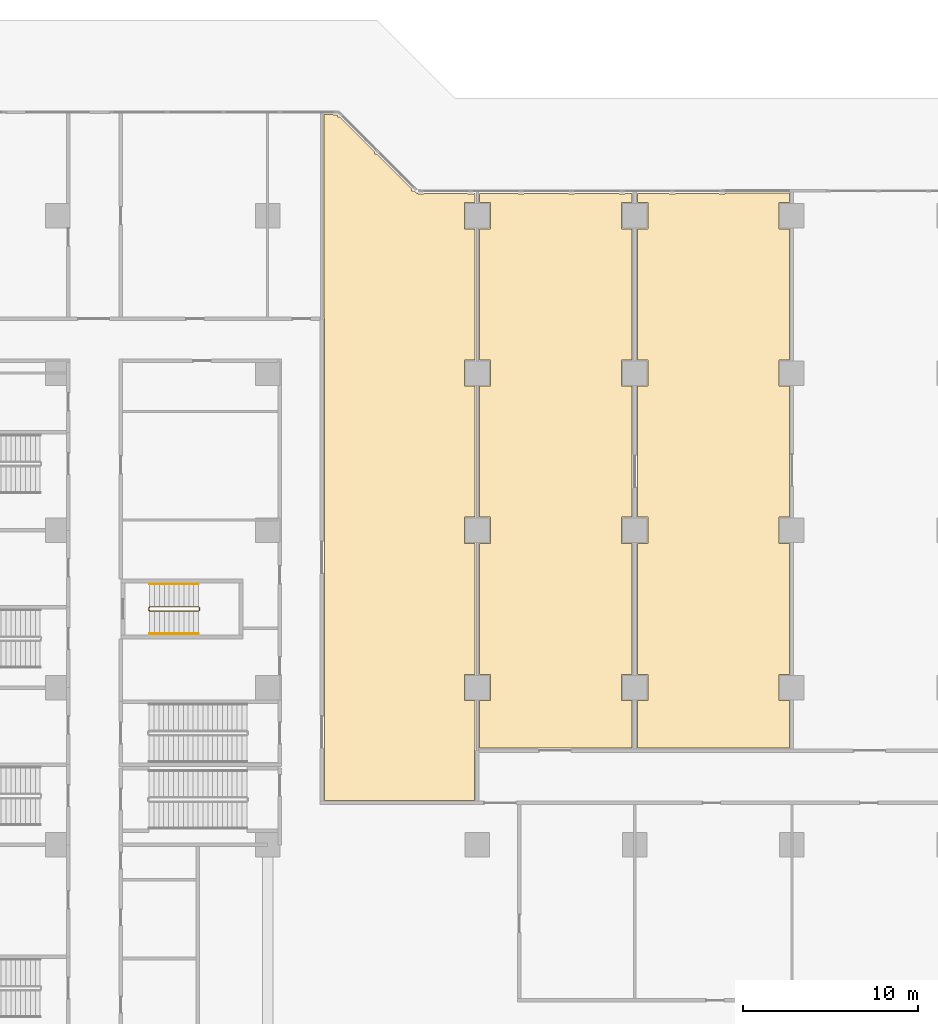
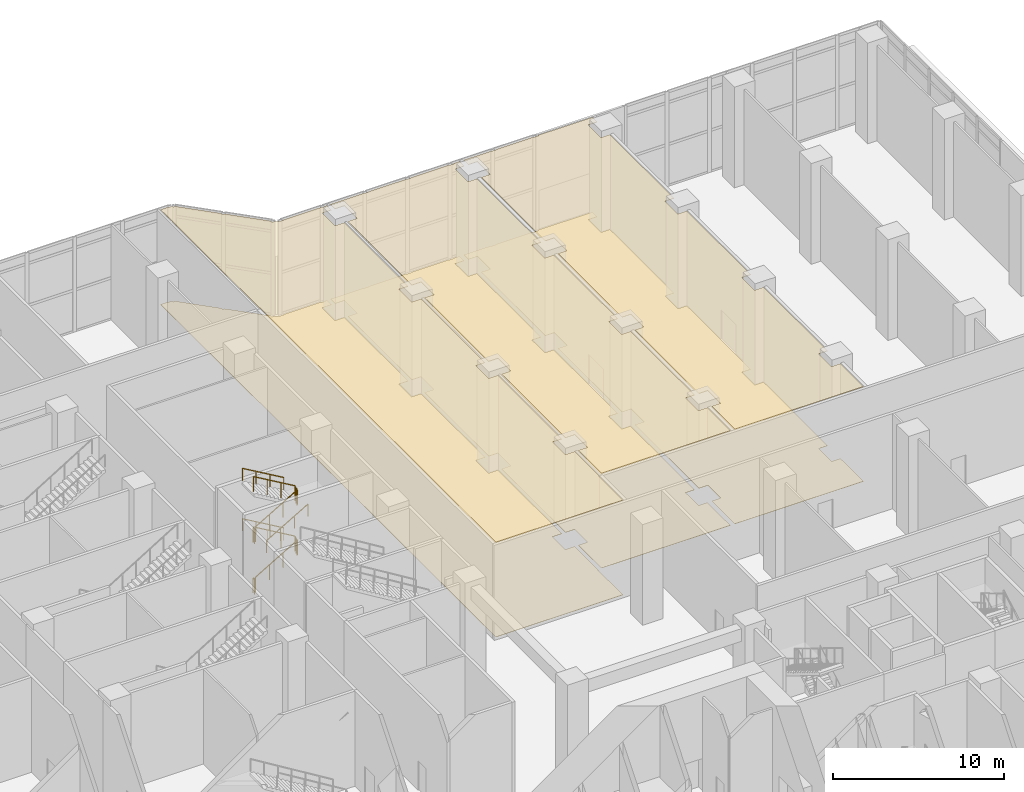
# One storey, part 33 of 34: 6 coverings, 4 railings.
"""IFC4 building model written with IfcOpenShell, lengths in metres."""

from ifc_helpers import new_model, si_unit, direction, frame, origin, origin_2d, place, context, subcontext, project, spatial, polyline, rectangle, outline, extrude, material, layer, layer_set, type_object, element, save


model = new_model("IFC4")

# Units and contexts
model_context = context("Model", 3, precision=1e-05, world=origin(), true_north=direction((0.0, 1.0)))
body_context = subcontext(model_context, "Body", "Model", "MODEL_VIEW")
ifc_project = project(units=[si_unit("LENGTHUNIT", "METRE"), si_unit("AREAUNIT", "SQUARE_METRE"), si_unit("VOLUMEUNIT", "CUBIC_METRE"), si_unit("PLANEANGLEUNIT", "RADIAN"), si_unit("MASSUNIT", "GRAM", prefix="KILO")], contexts=[model_context])

# Site, building, storey
site_placement = place(None, origin())
site = spatial("IfcSite", under=ifc_project, at=site_placement, CompositionType="ELEMENT")
building_placement = place(site_placement, origin())
building = spatial("IfcBuilding", under=site, at=building_placement, Name="Chenar Terraces", CompositionType="ELEMENT")
storey_placement = place(building_placement, origin())
storey = spatial("IfcBuildingStorey", under=building, at=storey_placement, Name="L00", CompositionType="ELEMENT", Elevation=0.0)

# Coverings
ifc_material_1 = material(Name="Mineral fibre acoustic ceiling board")
ifc_layer_1 = layer(ifc_material_1, 0.030029296875)
ifc_layer_set_1 = layer_set([ifc_layer_1], Name="Mineral fibre acoustic ceiling board")
covering_type_1 = type_object("IfcCoveringType", Name="Acoustic board ceiling 30", PredefinedType="CEILING", material=ifc_layer_set_1)
placement_1 = place(storey_placement, frame((0.0, 0.0, 6.77001953125)))
element("IfcCovering", 1, at=placement_1, inside=storey, type_object=covering_type_1, Name="Acoustic ceiling", PredefinedType="CEILING", context=body_context, shape_type="SweptSolid", body=[
    extrude(outline(polyline([(32.50927734375, 73.300048828125), (32.60693359375, 73.300048828125), (32.60693359375, 73.25), (32.956787109375, 73.25), (32.956787109375, 73.284912109375), (35.44873046875, 73.284912109375), (35.44873046875, 73.25), (35.798828125, 73.25), (35.798828125, 73.284912109375), (35.875, 73.284912109375), (35.875, 72.75), (35.25, 72.75), (35.25, 71.25), (35.875, 71.25), (35.875, 63.75), (35.25, 63.75), (35.25, 62.25), (35.875, 62.25), (35.875, 54.75), (35.25, 54.75), (35.25, 53.25), (35.875, 53.25), (35.875, 45.75), (35.25, 45.75), (35.25, 44.25), (35.875, 44.25), (35.875, 41.449951171875), (35.85009765625, 41.449951171875), (35.85009765625, 38.550048828125), (27.25, 38.550048828125), (27.25, 66.14990234375), (27.22509765625, 66.14990234375), (27.22509765625, 77.784912109375), (27.726806640625, 77.784912109375), (27.726806640625, 77.75), (27.998291015625, 77.75), (27.998291015625, 77.6376953125), (28.150146484375, 77.6376953125), (30.11376953125, 75.674072265625), (30.11376953125, 75.52197265625), (30.265869140625, 75.52197265625), (32.2294921875, 73.558349609375), (32.2294921875, 73.40625), (32.40283203125, 73.40625), (32.50927734375, 73.300048828125)])), origin(), (0.0, 0.0, 1.0), 0.030029296875),
])
element("IfcCovering", 2, at=placement_1, inside=storey, type_object=covering_type_1, Name="Acoustic ceiling", PredefinedType="CEILING", context=body_context, shape_type="SweptSolid", body=[
    extrude(outline(polyline([(36.125, 44.25), (36.75, 44.25), (36.75, 45.75), (36.125, 45.75), (36.125, 53.25), (36.75, 53.25), (36.75, 54.75), (36.125, 54.75), (36.125, 62.25), (36.75, 62.25), (36.75, 63.75), (36.125, 63.75), (36.125, 71.25), (36.75, 71.25), (36.75, 72.75), (36.125, 72.75), (36.125, 73.284912109375), (38.330810546875, 73.284912109375), (38.330810546875, 73.25), (38.6806640625, 73.25), (38.6806640625, 73.284912109375), (41.212646484375, 73.284912109375), (41.212646484375, 73.25), (41.562744140625, 73.25), (41.562744140625, 73.284912109375), (44.094482421875, 73.284912109375), (44.094482421875, 73.25), (44.444580078125, 73.25), (44.444580078125, 73.284912109375), (44.85009765625, 73.284912109375), (44.85009765625, 72.75), (44.25, 72.75), (44.25, 71.25), (44.85009765625, 71.25), (44.85009765625, 63.75), (44.25, 63.75), (44.25, 62.25), (44.85009765625, 62.25), (44.85009765625, 54.75), (44.25, 54.75), (44.25, 53.25), (44.85009765625, 53.25), (44.85009765625, 45.75), (44.25, 45.75), (44.25, 44.25), (44.85009765625, 44.25), (44.85009765625, 41.550048828125), (36.125, 41.550048828125), (36.125, 44.25)])), origin(), (0.0, 0.0, 1.0), 0.030029296875),
])
element("IfcCovering", 3, at=placement_1, inside=storey, type_object=covering_type_1, Name="Acoustic ceiling", PredefinedType="CEILING", context=body_context, shape_type="SweptSolid", body=[
    extrude(outline(polyline([(53.85009765625, 73.300048828125), (53.85009765625, 72.75), (53.25, 72.75), (53.25, 71.25), (53.85009765625, 71.25), (53.85009765625, 63.75), (53.25, 63.75), (53.25, 62.25), (53.85009765625, 62.25), (53.85009765625, 54.75), (53.25, 54.75), (53.25, 53.25), (53.85009765625, 53.25), (53.85009765625, 45.75), (53.25, 45.75), (53.25, 44.25), (53.85009765625, 44.25), (53.85009765625, 41.550048828125), (45.14990234375, 41.550048828125), (45.14990234375, 44.25), (45.75, 44.25), (45.75, 45.75), (45.14990234375, 45.75), (45.14990234375, 53.25), (45.75, 53.25), (45.75, 54.75), (45.14990234375, 54.75), (45.14990234375, 62.25), (45.75, 62.25), (45.75, 63.75), (45.14990234375, 63.75), (45.14990234375, 71.25), (45.75, 71.25), (45.75, 72.75), (45.14990234375, 72.75), (45.14990234375, 73.284912109375), (46.9765625, 73.284912109375), (46.9765625, 73.25), (47.326416015625, 73.25), (47.326416015625, 73.284912109375), (49.818359375, 73.284912109375), (49.818359375, 73.25), (50.16845703125, 73.25), (50.16845703125, 73.300048828125), (53.85009765625, 73.300048828125)])), origin(), (0.0, 0.0, 1.0), 0.030029296875),
])
ifc_material_2 = material(Name="Honed limestone floor finish", Category="masonry")
ifc_layer_2 = layer(ifc_material_2, 0.02001953125)
ifc_layer_set_2 = layer_set([ifc_layer_2], Name="Honed limestone floor finish")
covering_type_2 = type_object("IfcCoveringType", Name="Limestone floor finish 20", PredefinedType="FLOORING", material=ifc_layer_set_2)
placement_2 = place(storey_placement, origin())
element("IfcCovering", 4, at=placement_2, inside=storey, type_object=covering_type_2, Name="Limestone floor finish", PredefinedType="FLOORING", context=body_context, shape_type="SweptSolid", body=[
    extrude(outline(polyline([(32.50927734375, 73.300048828125), (32.60693359375, 73.300048828125), (32.60693359375, 73.25), (32.956787109375, 73.25), (32.956787109375, 73.284912109375), (35.44873046875, 73.284912109375), (35.44873046875, 73.25), (35.798828125, 73.25), (35.798828125, 73.284912109375), (35.875, 73.284912109375), (35.875, 72.75), (35.25, 72.75), (35.25, 71.25), (35.875, 71.25), (35.875, 63.75), (35.25, 63.75), (35.25, 62.25), (35.875, 62.25), (35.875, 54.75), (35.25, 54.75), (35.25, 53.25), (35.875, 53.25), (35.875, 45.75), (35.25, 45.75), (35.25, 44.25), (35.875, 44.25), (35.875, 41.449951171875), (35.85009765625, 41.449951171875), (35.85009765625, 38.550048828125), (27.25, 38.550048828125), (27.25, 66.14990234375), (27.22509765625, 66.14990234375), (27.22509765625, 77.784912109375), (27.726806640625, 77.784912109375), (27.726806640625, 77.75), (27.998291015625, 77.75), (27.998291015625, 77.6376953125), (28.150146484375, 77.6376953125), (30.11376953125, 75.674072265625), (30.11376953125, 75.52197265625), (30.265869140625, 75.52197265625), (32.2294921875, 73.558349609375), (32.2294921875, 73.40625), (32.40283203125, 73.40625), (32.50927734375, 73.300048828125)])), origin(), (0.0, 0.0, 1.0), 0.02001953125),
])
element("IfcCovering", 5, at=placement_2, inside=storey, type_object=covering_type_2, Name="Limestone floor finish", PredefinedType="FLOORING", context=body_context, shape_type="SweptSolid", body=[
    extrude(outline(polyline([(36.125, 44.25), (36.75, 44.25), (36.75, 45.75), (36.125, 45.75), (36.125, 53.25), (36.75, 53.25), (36.75, 54.75), (36.125, 54.75), (36.125, 62.25), (36.75, 62.25), (36.75, 63.75), (36.125, 63.75), (36.125, 71.25), (36.75, 71.25), (36.75, 72.75), (36.125, 72.75), (36.125, 73.284912109375), (38.330810546875, 73.284912109375), (38.330810546875, 73.25), (38.6806640625, 73.25), (38.6806640625, 73.284912109375), (41.212646484375, 73.284912109375), (41.212646484375, 73.25), (41.562744140625, 73.25), (41.562744140625, 73.284912109375), (44.094482421875, 73.284912109375), (44.094482421875, 73.25), (44.444580078125, 73.25), (44.444580078125, 73.284912109375), (44.85009765625, 73.284912109375), (44.85009765625, 72.75), (44.25, 72.75), (44.25, 71.25), (44.85009765625, 71.25), (44.85009765625, 63.75), (44.25, 63.75), (44.25, 62.25), (44.85009765625, 62.25), (44.85009765625, 54.75), (44.25, 54.75), (44.25, 53.25), (44.85009765625, 53.25), (44.85009765625, 45.75), (44.25, 45.75), (44.25, 44.25), (44.85009765625, 44.25), (44.85009765625, 41.550048828125), (36.125, 41.550048828125), (36.125, 44.25)])), origin(), (0.0, 0.0, 1.0), 0.02001953125),
])
element("IfcCovering", 6, at=placement_2, inside=storey, type_object=covering_type_2, Name="Limestone floor finish", PredefinedType="FLOORING", context=body_context, shape_type="SweptSolid", body=[
    extrude(outline(polyline([(53.85009765625, 73.300048828125), (53.85009765625, 72.75), (53.25, 72.75), (53.25, 71.25), (53.85009765625, 71.25), (53.85009765625, 63.75), (53.25, 63.75), (53.25, 62.25), (53.85009765625, 62.25), (53.85009765625, 54.75), (53.25, 54.75), (53.25, 53.25), (53.85009765625, 53.25), (53.85009765625, 45.75), (53.25, 45.75), (53.25, 44.25), (53.85009765625, 44.25), (53.85009765625, 41.550048828125), (45.14990234375, 41.550048828125), (45.14990234375, 44.25), (45.75, 44.25), (45.75, 45.75), (45.14990234375, 45.75), (45.14990234375, 53.25), (45.75, 53.25), (45.75, 54.75), (45.14990234375, 54.75), (45.14990234375, 62.25), (45.75, 62.25), (45.75, 63.75), (45.14990234375, 63.75), (45.14990234375, 71.25), (45.75, 71.25), (45.75, 72.75), (45.14990234375, 72.75), (45.14990234375, 73.284912109375), (46.9765625, 73.284912109375), (46.9765625, 73.25), (47.326416015625, 73.25), (47.326416015625, 73.284912109375), (49.818359375, 73.284912109375), (49.818359375, 73.25), (50.16845703125, 73.25), (50.16845703125, 73.300048828125), (53.85009765625, 73.300048828125)])), origin(), (0.0, 0.0, 1.0), 0.02001953125),
])

# Railings
ifc_material_3 = material(Name="Powder-coated steel", Category="steel")
railing_type_1 = type_object("IfcRailingType", Name="Stair guard 1100", PredefinedType="GUARDRAIL", material=ifc_material_3)
railing_1_placement = place(storey_placement, frame((17.25, 49.625, 7.199951171875)))
element("IfcRailing", 7, at=railing_1_placement, inside=storey, type_object=railing_type_1, Name="L00 ST4 stair guard 1", PredefinedType="GUARDRAIL", context=body_context, shape_type="SweptSolid", body=[
    extrude(rectangle(XDim=0.048095703125, YDim=0.048095703125, at=origin_2d()), frame((0.0, 0.0, 1.076171875), z_axis=(0.863393664356, 0.0, -0.504530851732), x_axis=(0.0, 1.0, 0.0)), (0.0, 0.0, 1.0), 3.2431640625),
    extrude(rectangle(XDim=0.048095703125, YDim=0.048095703125, at=origin_2d()), frame((2.800048828125, 0.0, -0.56005859375), z_axis=(0.280456126637, -0.280456126637, -0.917980785237), x_axis=(0.707106781187, 0.707106781187, 0.0)), (0.0, 0.0, 1.0), 0.178466796875),
    extrude(rectangle(XDim=0.048095703125, YDim=0.048095703125, at=origin_2d()), frame((2.85009765625, -0.050048828125, -0.72412109375), z_axis=(0.0, -1.0, 0.0), x_axis=(1.0, 0.0, 0.0)), (0.0, 0.0, 1.0), 0.14990234375),
    extrude(rectangle(XDim=0.048095703125, YDim=0.048095703125, at=origin_2d()), frame((2.85009765625, -0.199951171875, -0.72412109375), z_axis=(-0.707106781187, -0.707106781187, 0.0), x_axis=(0.707106781187, -0.707106781187, 0.0)), (0.0, 0.0, 1.0), 0.07080078125),
    extrude(rectangle(XDim=0.048095703125, YDim=0.048095703125, at=origin_2d()), frame((2.800048828125, -0.25, -0.72412109375), z_axis=(-0.863393664356, 0.0, -0.504530851732), x_axis=(0.0, -1.0, 0.0)), (0.0, 0.0, 1.0), 3.2431640625),
    extrude(rectangle(XDim=0.048095703125, YDim=0.048095703125, at=origin_2d()), frame((0.0, -0.25, -2.3603515625), z_axis=(-0.190199549216, 0.759870394187, -0.621627795), x_axis=(-0.970072785993, -0.242814311512, 0.0)), (0.0, 0.0, 1.0), 0.26318359375),
    extrude(rectangle(XDim=0.048095703125, YDim=0.048095703125, at=origin_2d()), frame((-0.050048828125, -0.050048828125, -2.52392578125), z_axis=(0.0, -1.0, 0.0), x_axis=(1.0, 0.0, 0.0)), (0.0, 0.0, 1.0), 0.14990234375),
    extrude(rectangle(XDim=0.048095703125, YDim=0.048095703125, at=origin_2d()), frame((-0.050048828125, -0.199951171875, -2.52392578125), z_axis=(0.242814311512, 0.970072785993, 0.0), x_axis=(-0.970072785993, 0.242814311512, 0.0)), (0.0, 0.0, 1.0), 0.2060546875),
    extrude(rectangle(XDim=0.048095703125, YDim=0.048095703125, at=origin_2d()), frame((0.0, 0.0, -2.52392578125), z_axis=(0.863360870873, 0.0, -0.504586966384), x_axis=(0.0, 1.0, 0.0)), (0.0, 0.0, 1.0), 3.2431640625),
    extrude(rectangle(XDim=0.048095703125, YDim=0.048095703125, at=origin_2d()), frame((2.800048828125, 0.0, -4.16015625), z_axis=(0.280808744504, -0.280808744504, -0.917765164963), x_axis=(0.707106781187, 0.707106781187, 0.0)), (0.0, 0.0, 1.0), 0.17822265625),
    extrude(rectangle(XDim=0.048095703125, YDim=0.048095703125, at=origin_2d()), frame((2.85009765625, -0.050048828125, -4.32373046875), z_axis=(0.0, -1.0, 0.0), x_axis=(1.0, 0.0, 0.0)), (0.0, 0.0, 1.0), 0.14990234375),
    extrude(rectangle(XDim=0.048095703125, YDim=0.048095703125, at=origin_2d()), frame((2.85009765625, -0.199951171875, -4.32373046875), z_axis=(-0.707106781187, -0.707106781187, 0.0), x_axis=(0.707106781187, -0.707106781187, 0.0)), (0.0, 0.0, 1.0), 0.07080078125),
    extrude(rectangle(XDim=0.048095703125, YDim=0.048095703125, at=origin_2d()), frame((2.800048828125, -0.25, -4.32373046875), z_axis=(-0.863360870873, 0.0, -0.504586966384), x_axis=(0.0, -1.0, 0.0)), (0.0, 0.0, 1.0), 3.2431640625),
    extrude(rectangle(XDim=0.048095703125, YDim=0.048095703125, at=origin_2d()), frame((0.0, -0.25, -5.96044921875), z_axis=(-0.280808744504, 0.280808744504, -0.917765164963), x_axis=(-0.707106781187, -0.707106781187, 0.0)), (0.0, 0.0, 1.0), 0.17822265625),
    extrude(rectangle(XDim=0.048095703125, YDim=0.048095703125, at=origin_2d()), frame((-0.050048828125, -0.199951171875, -6.1240234375), z_axis=(0.0, 1.0, 0.0), x_axis=(-1.0, 0.0, 0.0)), (0.0, 0.0, 1.0), 0.14990234375),
    extrude(rectangle(XDim=0.0419921875, YDim=0.0419921875, at=origin_2d()), origin(), (0.0, 0.0, 1.0), 1.052001953125),
    extrude(rectangle(XDim=0.0419921875, YDim=0.0419921875, at=origin_2d()), frame((0.933349609375, 0.0, -0.54541015625)), (0.0, 0.0, 1.0), 1.052001953125),
    extrude(rectangle(XDim=0.0419921875, YDim=0.0419921875, at=origin_2d()), frame((1.86669921875, 0.0, -1.0908203125)), (0.0, 0.0, 1.0), 1.052001953125),
    extrude(rectangle(XDim=0.0419921875, YDim=0.0419921875, at=origin_2d()), frame((2.800048828125, 0.0, -1.63623046875)), (0.0, 0.0, 1.0), 1.052001953125),
    extrude(rectangle(XDim=0.0419921875, YDim=0.0419921875, at=origin_2d()), frame((2.85009765625, -0.050048828125, -1.800048828125)), (0.0, 0.0, 1.0), 1.052001953125),
    extrude(rectangle(XDim=0.0419921875, YDim=0.0419921875, at=origin_2d()), frame((2.85009765625, -0.199951171875, -1.800048828125)), (0.0, 0.0, 1.0), 1.052001953125),
    extrude(rectangle(XDim=0.0419921875, YDim=0.0419921875, at=origin_2d()), frame((2.800048828125, -0.25, -1.800048828125)), (0.0, 0.0, 1.0), 1.052001953125),
    extrude(rectangle(XDim=0.0419921875, YDim=0.0419921875, at=origin_2d()), frame((1.86669921875, -0.25, -2.345458984375)), (0.0, 0.0, 1.0), 1.052001953125),
    extrude(rectangle(XDim=0.0419921875, YDim=0.0419921875, at=origin_2d()), frame((0.933349609375, -0.25, -2.890869140625)), (0.0, 0.0, 1.0), 1.052001953125),
    extrude(rectangle(XDim=0.0419921875, YDim=0.0419921875, at=origin_2d()), frame((0.0, -0.25, -3.436279296875)), (0.0, 0.0, 1.0), 1.052001953125),
    extrude(rectangle(XDim=0.0419921875, YDim=0.0419921875, at=origin_2d()), frame((-0.050048828125, -0.050048828125, -3.599853515625)), (0.0, 0.0, 1.0), 1.052001953125),
    extrude(rectangle(XDim=0.0419921875, YDim=0.0419921875, at=origin_2d()), frame((-0.050048828125, -0.199951171875, -3.599853515625)), (0.0, 0.0, 1.0), 1.052001953125),
    extrude(rectangle(XDim=0.0419921875, YDim=0.0419921875, at=origin_2d()), frame((0.0, 0.0, -3.599853515625)), (0.0, 0.0, 1.0), 1.052001953125),
    extrude(rectangle(XDim=0.0419921875, YDim=0.0419921875, at=origin_2d()), frame((0.933349609375, 0.0, -4.145263671875)), (0.0, 0.0, 1.0), 1.052001953125),
    extrude(rectangle(XDim=0.0419921875, YDim=0.0419921875, at=origin_2d()), frame((1.86669921875, 0.0, -4.69091796875)), (0.0, 0.0, 1.0), 1.052001953125),
    extrude(rectangle(XDim=0.0419921875, YDim=0.0419921875, at=origin_2d()), frame((2.800048828125, 0.0, -5.236328125)), (0.0, 0.0, 1.0), 1.052001953125),
    extrude(rectangle(XDim=0.0419921875, YDim=0.0419921875, at=origin_2d()), frame((2.85009765625, -0.050048828125, -5.39990234375)), (0.0, 0.0, 1.0), 1.052001953125),
    extrude(rectangle(XDim=0.0419921875, YDim=0.0419921875, at=origin_2d()), frame((2.85009765625, -0.199951171875, -5.39990234375)), (0.0, 0.0, 1.0), 1.052001953125),
    extrude(rectangle(XDim=0.0419921875, YDim=0.0419921875, at=origin_2d()), frame((2.800048828125, -0.25, -5.39990234375)), (0.0, 0.0, 1.0), 1.052001953125),
    extrude(rectangle(XDim=0.0419921875, YDim=0.0419921875, at=origin_2d()), frame((1.86669921875, -0.25, -5.9453125)), (0.0, 0.0, 1.0), 1.052001953125),
    extrude(rectangle(XDim=0.0419921875, YDim=0.0419921875, at=origin_2d()), frame((0.933349609375, -0.25, -6.490966796875)), (0.0, 0.0, 1.0), 1.052001953125),
    extrude(rectangle(XDim=0.0419921875, YDim=0.0419921875, at=origin_2d()), frame((0.0, -0.25, -7.036376953125)), (0.0, 0.0, 1.0), 1.052001953125),
    extrude(rectangle(XDim=0.0419921875, YDim=0.0419921875, at=origin_2d()), frame((-0.050048828125, -0.199951171875, -7.199951171875)), (0.0, 0.0, 1.0), 1.052001953125),
    extrude(rectangle(XDim=0.0419921875, YDim=0.0419921875, at=origin_2d()), frame((-0.050048828125, -0.050048828125, -7.199951171875)), (0.0, 0.0, 1.0), 1.052001953125),
])
ifc_material_4 = material(Name="Powder-coated steel", Category="steel")
railing_type_2 = type_object("IfcRailingType", Name="Stair handrail 900", PredefinedType="HANDRAIL", material=ifc_material_4)
railing_2_placement = place(storey_placement, frame((20.050048828125, 50.925048828125, 1.963623046875)))
element("IfcRailing", 8, at=railing_2_placement, inside=storey, type_object=railing_type_2, Name="L00 ST4 stair handrail 2", PredefinedType="HANDRAIL", context=body_context, shape_type="SweptSolid", body=[
    extrude(rectangle(XDim=0.048095703125, YDim=0.048095703125, at=origin_2d()), frame((0.0, 0.0, 0.8759765625), z_axis=(-0.863360870873, 0.0, 0.504586966384), x_axis=(0.0, -1.0, 0.0)), (0.0, 0.0, 1.0), 3.2431640625),
    extrude(rectangle(XDim=0.0419921875, YDim=0.0419921875, at=origin_2d()), origin(), (0.0, 0.0, 1.0), 0.851806640625),
    extrude(rectangle(XDim=0.0419921875, YDim=0.0419921875, at=origin_2d()), frame((-0.933349609375, 0.0, 0.54541015625)), (0.0, 0.0, 1.0), 0.851806640625),
    extrude(rectangle(XDim=0.0419921875, YDim=0.0419921875, at=origin_2d()), frame((-1.86669921875, 0.0, 1.091064453125)), (0.0, 0.0, 1.0), 0.851806640625),
    extrude(rectangle(XDim=0.0419921875, YDim=0.0419921875, at=origin_2d()), frame((-2.800048828125, 0.0, 1.636474609375)), (0.0, 0.0, 1.0), 0.851806640625),
])
railing_3_placement = place(storey_placement, frame((17.25, 48.074951171875, 3.763671875)))
element("IfcRailing", 9, at=railing_3_placement, inside=storey, type_object=railing_type_2, Name="L00 ST4 stair handrail 3", PredefinedType="HANDRAIL", context=body_context, shape_type="SweptSolid", body=[
    extrude(rectangle(XDim=0.048095703125, YDim=0.048095703125, at=origin_2d()), frame((0.0, 0.0, 0.8759765625), z_axis=(0.863393664356, 0.0, 0.504530851732), x_axis=(0.0, 1.0, 0.0)), (0.0, 0.0, 1.0), 3.2431640625),
    extrude(rectangle(XDim=0.0419921875, YDim=0.0419921875, at=origin_2d()), origin(), (0.0, 0.0, 1.0), 0.851806640625),
    extrude(rectangle(XDim=0.0419921875, YDim=0.0419921875, at=origin_2d()), frame((0.933349609375, 0.0, 0.54541015625)), (0.0, 0.0, 1.0), 0.851806640625),
    extrude(rectangle(XDim=0.0419921875, YDim=0.0419921875, at=origin_2d()), frame((1.86669921875, 0.0, 1.0908203125)), (0.0, 0.0, 1.0), 0.851806640625),
    extrude(rectangle(XDim=0.0419921875, YDim=0.0419921875, at=origin_2d()), frame((2.800048828125, 0.0, 1.63623046875)), (0.0, 0.0, 1.0), 0.851806640625),
])
railing_4_placement = place(storey_placement, frame((20.050048828125, 50.925048828125, 5.563720703125)))
element("IfcRailing", 10, at=railing_4_placement, inside=storey, type_object=railing_type_2, Name="L00 ST4 stair handrail 4", PredefinedType="HANDRAIL", context=body_context, shape_type="SweptSolid", body=[
    extrude(rectangle(XDim=0.048095703125, YDim=0.048095703125, at=origin_2d()), frame((0.0, 0.0, 0.8759765625), z_axis=(-0.863393664356, 0.0, 0.504530851732), x_axis=(0.0, -1.0, 0.0)), (0.0, 0.0, 1.0), 3.2431640625),
    extrude(rectangle(XDim=0.0419921875, YDim=0.0419921875, at=origin_2d()), origin(), (0.0, 0.0, 1.0), 0.851806640625),
    extrude(rectangle(XDim=0.0419921875, YDim=0.0419921875, at=origin_2d()), frame((-0.933349609375, 0.0, 0.54541015625)), (0.0, 0.0, 1.0), 0.851806640625),
    extrude(rectangle(XDim=0.0419921875, YDim=0.0419921875, at=origin_2d()), frame((-1.86669921875, 0.0, 1.0908203125)), (0.0, 0.0, 1.0), 0.851806640625),
    extrude(rectangle(XDim=0.0419921875, YDim=0.0419921875, at=origin_2d()), frame((-2.800048828125, 0.0, 1.63623046875)), (0.0, 0.0, 1.0), 0.851806640625),
])

save(model, "model.ifc")
